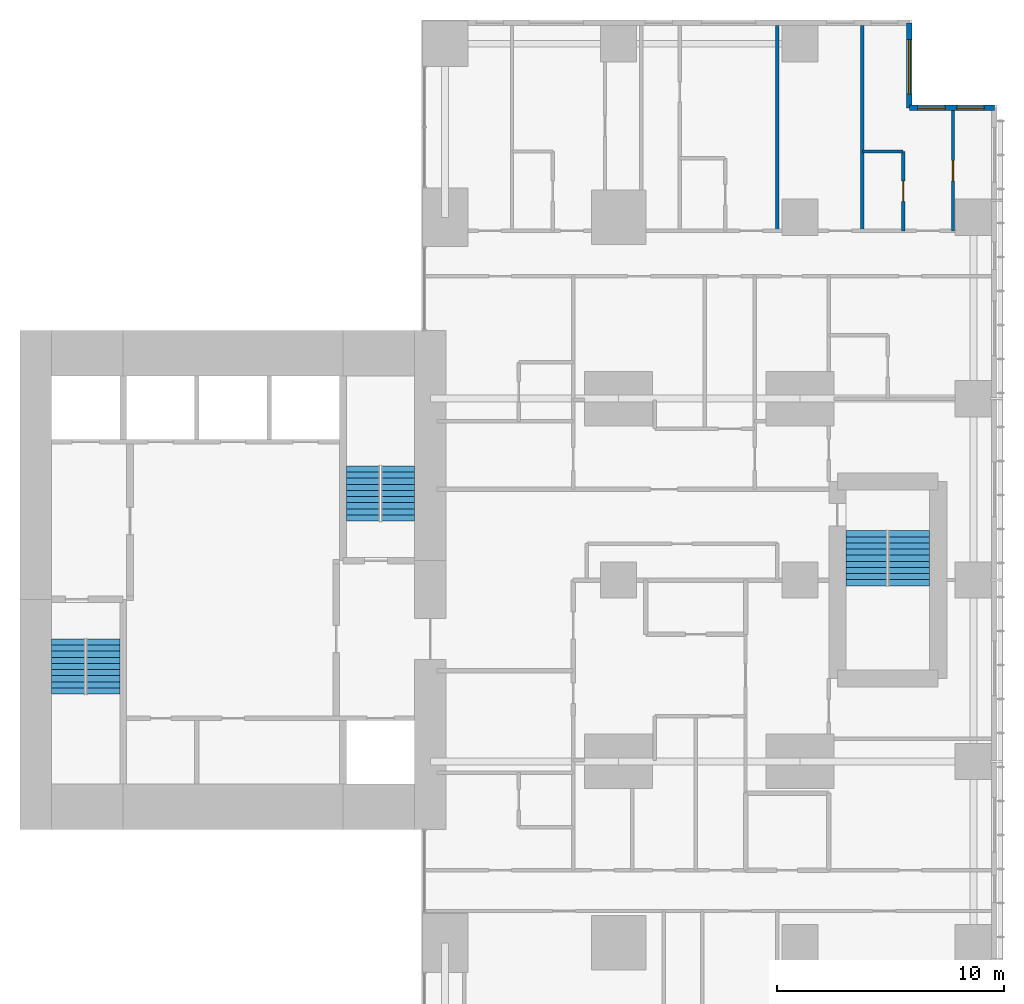
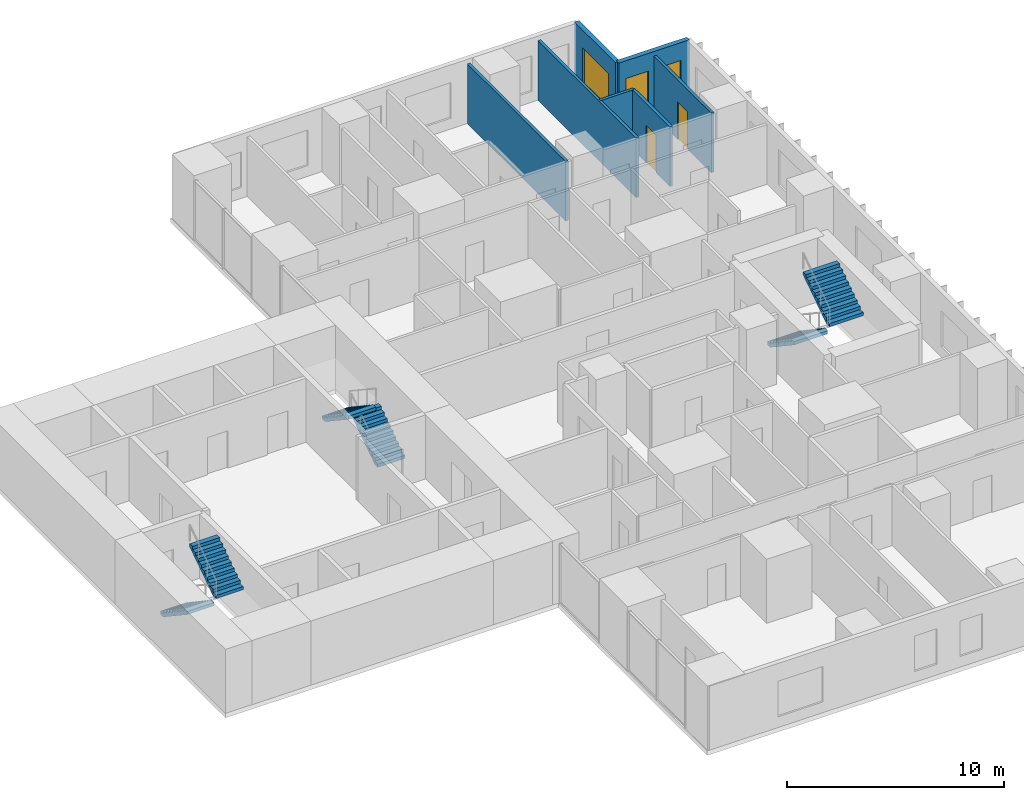
# One storey, part 11 of 12: 7 walls, 6 stair flights, 3 windows, 2 doors, 5 openings, 3 elements without a shape of their own.
"""IFC4 building model written with IfcOpenShell, lengths in metres."""

from ifc_helpers import new_model, si_unit, direction, frame, frame_2d, origin, place, context, subcontext, project, spatial, polyline, rectangle, outline, extrude, material, layer, layer_set, type_object, element, fill, aggregate, save


model = new_model("IFC4")

# Units and contexts
model_context = context("Model", 3, precision=1e-05, world=origin(), true_north=direction((0.0, 1.0)))
body_context = subcontext(model_context, "Body", "Model", "MODEL_VIEW")
ifc_project = project(units=[si_unit("LENGTHUNIT", "METRE"), si_unit("AREAUNIT", "SQUARE_METRE"), si_unit("VOLUMEUNIT", "CUBIC_METRE"), si_unit("PLANEANGLEUNIT", "RADIAN"), si_unit("MASSUNIT", "GRAM", prefix="KILO")], contexts=[model_context])

# Site, building, storey
site_placement = place(None, origin())
site = spatial("IfcSite", under=ifc_project, at=site_placement, CompositionType="ELEMENT")
building_placement = place(site_placement, origin())
building = spatial("IfcBuilding", under=site, at=building_placement, Name="Cleftline Residences", CompositionType="ELEMENT")
storey_placement = place(building_placement, frame((0.0, 0.0, 252.0)))
storey = spatial("IfcBuildingStorey", under=building, at=storey_placement, Name="L66", CompositionType="ELEMENT", Elevation=252.0)

# Wall, openings, windows
ifc_material_1 = material(Name="Rendered reinforced concrete blockwork", Category="masonry")
ifc_layer_1 = layer(ifc_material_1, 0.25)
ifc_layer_set_1 = layer_set([ifc_layer_1], Name="EXTERNAL WALL 250")
wall_type_1 = type_object("IfcWallType", Name="EXTERNAL WALL 250", PredefinedType="SOLIDWALL", material=ifc_layer_set_1)
wall_1_placement = place(storey_placement, frame((66.574951171875, 44.824951171875, 0.0), z_axis=(0.0, 0.0, 1.0), x_axis=(-1.0, 0.0, 0.0)))
wall_1 = element("IfcWall", 1, at=wall_1_placement, inside=storey, type_object=wall_type_1, Name="External wall", PredefinedType="SOLIDWALL", context=body_context, shape_type="SweptSolid", body=[
    extrude(rectangle(XDim=3.75, YDim=0.25, at=frame_2d((1.875, 0.0))), origin(), (0.0, 0.0, 1.0), 3.60009765625),
])
opening_1_placement = place(wall_1_placement, frame((0.449951171875, 0.0, 0.60009765625)))
opening_1 = element("IfcOpeningElement", 2, at=opening_1_placement, cuts=wall_1, Name="Opening W8", PredefinedType="OPENING", context=body_context, shape_type="SweptSolid", body=[
    extrude(rectangle(XDim=1.199951171875, YDim=2.0, at=frame_2d((0.60009765625, 1.0))), frame((0.0, 0.135009765625, 0.0), z_axis=(0.0, -1.0, 0.0), x_axis=(1.0, 0.0, 0.0)), (0.0, 0.0, 1.0), 0.27001953125),
])
opening_2_placement = place(wall_1_placement, frame((2.1875, 0.0, 0.60009765625)))
opening_2 = element("IfcOpeningElement", 3, at=opening_2_placement, cuts=wall_1, Name="Opening W8", PredefinedType="OPENING", context=body_context, shape_type="SweptSolid", body=[
    extrude(rectangle(XDim=1.199951171875, YDim=2.0, at=frame_2d((0.60009765625, 1.0))), frame((0.0, 0.135009765625, 0.0), z_axis=(0.0, -1.0, 0.0), x_axis=(1.0, 0.0, 0.0)), (0.0, 0.0, 1.0), 0.27001953125),
])
ifc_material_2 = material(Name="Aluminium frame, clear double glazing", Category="aluminium")
window_type_1 = type_object("IfcWindowType", Name="WINDOW 1200X2000", PartitioningType="DOUBLE_PANEL_VERTICAL", PredefinedType="WINDOW", material=ifc_material_2)
window_1_placement = place(opening_1_placement, origin())
window_1 = element("IfcWindow", 4, at=window_1_placement, inside=storey, type_object=window_type_1, Name="Window", OverallHeight=2.0, OverallWidth=1.199951171875, PartitioningType="SINGLE_PANEL", PredefinedType="WINDOW", context=body_context, shape_type="SweptSolid", body=[
    extrude(rectangle(XDim=1.199951171875, YDim=2.0, at=frame_2d((0.60009765625, 1.0))), frame((0.0, 0.030029296875, 0.0), z_axis=(0.0, -1.0, 0.0), x_axis=(1.0, 0.0, 0.0)), (0.0, 0.0, 1.0), 0.06005859375),
])
fill(opening_1, window_1)
window_2_placement = place(opening_2_placement, origin())
window_2 = element("IfcWindow", 5, at=window_2_placement, inside=storey, type_object=window_type_1, Name="Window", OverallHeight=2.0, OverallWidth=1.199951171875, PartitioningType="SINGLE_PANEL", PredefinedType="WINDOW", context=body_context, shape_type="SweptSolid", body=[
    extrude(rectangle(XDim=1.199951171875, YDim=2.0, at=frame_2d((0.60009765625, 1.0))), frame((0.0, 0.030029296875, 0.0), z_axis=(0.0, -1.0, 0.0), x_axis=(1.0, 0.0, 0.0)), (0.0, 0.0, 1.0), 0.06005859375),
])
fill(opening_2, window_2)

# Wall, opening, window
wall_2_placement = place(storey_placement, frame((62.824951171875, 44.824951171875, 0.0), z_axis=(0.0, 0.0, 1.0), x_axis=(0.0, 1.0, 0.0)))
wall_2 = element("IfcWall", 6, at=wall_2_placement, inside=storey, type_object=wall_type_1, Name="External wall", PredefinedType="SOLIDWALL", context=body_context, shape_type="SweptSolid", body=[
    extrude(rectangle(XDim=3.75, YDim=0.25, at=frame_2d((1.875, 0.0))), origin(), (0.0, 0.0, 1.0), 3.60009765625),
])
opening_3_placement = place(wall_2_placement, frame((0.612548828125, 0.0, 0.60009765625)))
opening_3 = element("IfcOpeningElement", 7, at=opening_3_placement, cuts=wall_2, Name="Opening W6", PredefinedType="OPENING", context=body_context, shape_type="SweptSolid", body=[
    extrude(rectangle(XDim=2.39990234375, YDim=2.0, at=frame_2d((1.199951171875, 1.0))), frame((0.0, 0.135009765625, 0.0), z_axis=(0.0, -1.0, 0.0), x_axis=(1.0, 0.0, 0.0)), (0.0, 0.0, 1.0), 0.27001953125),
])
ifc_material_3 = material(Name="Aluminium frame, clear double glazing", Category="aluminium")
window_type_2 = type_object("IfcWindowType", Name="WINDOW 2400X2000", PartitioningType="DOUBLE_PANEL_VERTICAL", PredefinedType="WINDOW", material=ifc_material_3)
window_3_placement = place(opening_3_placement, origin())
window_3 = element("IfcWindow", 8, at=window_3_placement, inside=storey, type_object=window_type_2, Name="Window", OverallHeight=2.0, OverallWidth=2.39990234375, PartitioningType="SINGLE_PANEL", PredefinedType="WINDOW", context=body_context, shape_type="SweptSolid", body=[
    extrude(rectangle(XDim=2.39990234375, YDim=2.0, at=frame_2d((1.199951171875, 1.0))), frame((0.0, 0.030029296875, 0.0), z_axis=(0.0, -1.0, 0.0), x_axis=(1.0, 0.0, 0.0)), (0.0, 0.0, 1.0), 0.06005859375),
])
fill(opening_3, window_3)

# Walls
ifc_material_4 = material(Name="Gypsum board on steel studs", Category="steel")
ifc_layer_2 = layer(ifc_material_4, 0.14990234375)
ifc_layer_set_2 = layer_set([ifc_layer_2], Name="PARTITION 150")
wall_type_2 = type_object("IfcWallType", Name="PARTITION 150", PredefinedType="PARTITIONING", material=ifc_layer_set_2)
wall_3_placement = place(storey_placement, frame((60.75, 42.89990234375, 0.0), z_axis=(0.0, 0.0, 1.0), x_axis=(1.0, 0.0, 0.0)))
element("IfcWall", 9, at=wall_3_placement, inside=storey, type_object=wall_type_2, Name="Partition", PredefinedType="PARTITIONING", context=body_context, shape_type="SweptSolid", body=[
    extrude(rectangle(XDim=1.800048828125, YDim=0.14990234375, at=frame_2d((0.89990234375, 0.0))), origin(), (0.0, 0.0, 1.0), 3.35009765625),
])
for number, where, z_axis, x_axis, name in (
    (10, (57.0, 39.39990234375, 0.0), (0.0, 0.0, 1.0), (0.0, 1.0, 0.0), "Partition"),
    (11, (60.75, 39.39990234375, 0.0), (0.0, 0.0, 1.0), (0.0, 1.0, 0.0), "Partition"),
):
    element("IfcWall", number, at=place(storey_placement, frame(where, z_axis=z_axis, x_axis=x_axis)), inside=storey, type_object=wall_type_2, Name=name, PredefinedType="PARTITIONING", context=body_context, shape_type="SweptSolid", body=[
        extrude(rectangle(XDim=9.050048828125, YDim=0.14990234375, at=frame_2d((4.52490234375, 0.0))), origin(), (0.0, 0.0, 1.0), 3.35009765625),
    ])

# Wall, opening, door
wall_4_placement = place(storey_placement, frame((62.550048828125, 39.39990234375, 0.0), z_axis=(0.0, 0.0, 1.0), x_axis=(0.0, 1.0, 0.0)))
wall_4 = element("IfcWall", 12, at=wall_4_placement, inside=storey, type_object=wall_type_2, Name="Partition", PredefinedType="PARTITIONING", context=body_context, shape_type="SweptSolid", body=[
    extrude(rectangle(XDim=3.5, YDim=0.14990234375, at=frame_2d((1.75, 0.0))), origin(), (0.0, 0.0, 1.0), 3.35009765625),
])
opening_4_placement = place(wall_4_placement, frame((1.300048828125, 0.0, 0.0)))
opening_4 = element("IfcOpeningElement", 13, at=opening_4_placement, cuts=wall_4, Name="Opening D1", PredefinedType="OPENING", context=body_context, shape_type="SweptSolid", body=[
    extrude(rectangle(XDim=0.89990234375, YDim=2.10009765625, at=frame_2d((0.449951171875, 1.050048828125))), frame((0.0, 0.0849609375, 0.0), z_axis=(0.0, -1.0, 0.0), x_axis=(1.0, 0.0, 0.0)), (0.0, 0.0, 1.0), 0.169921875),
])
ifc_material_5 = material(Name="Timber veneer on solid core", Category="wood")
door_type = type_object("IfcDoorType", Name="DOOR 900X2100", OperationType="SINGLE_SWING_LEFT", PredefinedType="DOOR", material=ifc_material_5)
door_1_placement = place(opening_4_placement, origin())
door_1 = element("IfcDoor", 14, at=door_1_placement, inside=storey, type_object=door_type, Name="Door to en-suite bathroom 2", OperationType="SINGLE_SWING_LEFT", OverallHeight=2.10009765625, OverallWidth=0.89990234375, PredefinedType="DOOR", context=body_context, shape_type="SweptSolid", body=[
    extrude(rectangle(XDim=0.89990234375, YDim=2.10009765625, at=frame_2d((0.449951171875, 1.050048828125))), frame((0.0, 0.02490234375, 0.0), z_axis=(0.0, -1.0, 0.0), x_axis=(1.0, 0.0, 0.0)), (0.0, 0.0, 1.0), 0.050048828125),
])
fill(opening_4, door_1)

wall_5_placement = place(storey_placement, frame((64.75, 39.39990234375, 0.0), z_axis=(0.0, 0.0, 1.0), x_axis=(0.0, 1.0, 0.0)))
wall_5 = element("IfcWall", 15, at=wall_5_placement, inside=storey, type_object=wall_type_2, Name="Partition", PredefinedType="PARTITIONING", context=body_context, shape_type="SweptSolid", body=[
    extrude(rectangle(XDim=5.300048828125, YDim=0.14990234375, at=frame_2d((2.64990234375, 0.0))), origin(), (0.0, 0.0, 1.0), 3.35009765625),
])
opening_5_placement = place(wall_5_placement, frame((2.199951171875, 0.0, 0.0)))
opening_5 = element("IfcOpeningElement", 16, at=opening_5_placement, cuts=wall_5, Name="Opening D1", PredefinedType="OPENING", context=body_context, shape_type="SweptSolid", body=[
    extrude(rectangle(XDim=0.89990234375, YDim=2.10009765625, at=frame_2d((0.449951171875, 1.050048828125))), frame((0.0, 0.0849609375, 0.0), z_axis=(0.0, -1.0, 0.0), x_axis=(1.0, 0.0, 0.0)), (0.0, 0.0, 1.0), 0.169921875),
])
door_2_placement = place(opening_5_placement, origin())
door_2 = element("IfcDoor", 17, at=door_2_placement, inside=storey, type_object=door_type, Name="Door to walk-in wardrobe", OperationType="SINGLE_SWING_LEFT", OverallHeight=2.10009765625, OverallWidth=0.89990234375, PredefinedType="DOOR", context=body_context, shape_type="SweptSolid", body=[
    extrude(rectangle(XDim=0.89990234375, YDim=2.10009765625, at=frame_2d((0.449951171875, 1.050048828125))), frame((0.0, 0.02490234375, 0.0), z_axis=(0.0, -1.0, 0.0), x_axis=(1.0, 0.0, 0.0)), (0.0, 0.0, 1.0), 0.050048828125),
])
fill(opening_5, door_2)

# Stair, stair flights
ifc_material_6 = material(Name="Concrete B45, stone treads", Category="masonry")
stair_type_1 = type_object("IfcStairType", Name="STAIR A 1450 WIDE 180 RISER", PredefinedType="HALF_TURN_STAIR", material=ifc_material_6)
stair_1_placement = place(storey_placement, origin())
stair_1 = element("IfcStair", 18, at=stair_1_placement, inside=storey, type_object=stair_type_1, Name="Stair A L66", PredefinedType="HALF_TURN_STAIR")
ifc_material_7 = material(Name="Concrete B45", Category="concrete")
stair_flight_type_1 = type_object("IfcStairFlightType", Name="STAIR A FLIGHT 1450X180", PredefinedType="STRAIGHT", material=ifc_material_7)
stair_flight_1_placement = place(storey_placement, frame((25.72509765625, 21.39990234375, 0.0), z_axis=(0.0, 0.0, 1.0), x_axis=(0.0, -1.0, 0.0)))
stair_flight_1 = element("IfcStairFlight", 19, at=stair_flight_1_placement, type_object=stair_flight_type_1, Name="ST-A flight 1", NumberOfRisers=10, NumberOfTreads=9, PredefinedType="STRAIGHT", RiserHeight=0.18, TreadLength=0.27, context=body_context, shape_type="SweptSolid", body=[
    extrude(outline(polyline([(0.0, 0.0), (0.0, 0.013916015625), (0.0, 0.027587890625), (0.0, 0.04150390625), (0.0, 0.055419921875), (0.0, 0.0693359375), (0.0, 0.0830078125), (0.0, 0.096923828125), (0.0, 0.11083984375), (0.0, 0.12451171875), (0.0, 0.138427734375), (0.0, 0.15234375), (0.0, 0.166259765625), (0.0, 0.179931640625), (0.27001953125, 0.179931640625), (0.27001953125, 0.360107421875), (0.5400390625, 0.360107421875), (0.5400390625, 0.5400390625), (0.81005859375, 0.5400390625), (0.81005859375, 0.719970703125), (1.080078125, 0.719970703125), (1.080078125, 0.89990234375), (1.35009765625, 0.89990234375), (1.35009765625, 1.080078125), (1.6201171875, 1.080078125), (1.6201171875, 1.260009765625), (1.889892578125, 1.260009765625), (1.889892578125, 1.43994140625), (2.159912109375, 1.43994140625), (2.159912109375, 1.6201171875), (2.429931640625, 1.6201171875), (2.429931640625, 1.800048828125), (2.429931640625, 1.772216796875), (2.429931640625, 1.74462890625), (2.429931640625, 1.716796875), (2.429931640625, 1.689208984375), (2.429931640625, 1.661376953125), (2.429931640625, 1.6337890625), (2.429931640625, 1.60595703125), (2.429931640625, 1.578369140625), (2.429931640625, 1.550537109375), (2.429931640625, 1.52294921875), (2.429931640625, 1.495361328125), (2.429931640625, 1.467529296875), (2.429931640625, 1.43994140625), (0.270263671875, 0.0), (0.0, 0.0)])), frame((0.0, 0.72509765625, 0.0), z_axis=(0.0, -1.0, 0.0), x_axis=(1.0, 0.0, 0.0)), (0.0, 0.0, 1.0), 1.449951171875),
])
stair_flight_2_placement = place(storey_placement, frame((27.27490234375, 18.969970703125, 1.800048828125), z_axis=(0.0, 0.0, 1.0), x_axis=(0.0, 1.0, 0.0)))
stair_flight_2 = element("IfcStairFlight", 20, at=stair_flight_2_placement, type_object=stair_flight_type_1, Name="ST-A flight 2", NumberOfRisers=10, NumberOfTreads=9, PredefinedType="STRAIGHT", RiserHeight=0.18, TreadLength=0.27, context=body_context, shape_type="SweptSolid", body=[
    extrude(outline(polyline([(0.0, 0.0), (0.0, 0.013916015625), (0.0, 0.027587890625), (0.0, 0.04150390625), (0.0, 0.055419921875), (0.0, 0.0693359375), (0.0, 0.0830078125), (0.0, 0.096923828125), (0.0, 0.11083984375), (0.0, 0.12451171875), (0.0, 0.138427734375), (0.0, 0.15234375), (0.0, 0.166259765625), (0.0, 0.179931640625), (0.27001953125, 0.179931640625), (0.27001953125, 0.360107421875), (0.5400390625, 0.360107421875), (0.5400390625, 0.5400390625), (0.81005859375, 0.5400390625), (0.81005859375, 0.719970703125), (1.080078125, 0.719970703125), (1.080078125, 0.89990234375), (1.35009765625, 0.89990234375), (1.35009765625, 1.080078125), (1.6201171875, 1.080078125), (1.6201171875, 1.260009765625), (1.889892578125, 1.260009765625), (1.889892578125, 1.43994140625), (2.159912109375, 1.43994140625), (2.159912109375, 1.6201171875), (2.429931640625, 1.6201171875), (2.429931640625, 1.800048828125), (2.429931640625, 1.772216796875), (2.429931640625, 1.74462890625), (2.429931640625, 1.716796875), (2.429931640625, 1.689208984375), (2.429931640625, 1.661376953125), (2.429931640625, 1.6337890625), (2.429931640625, 1.60595703125), (2.429931640625, 1.578369140625), (2.429931640625, 1.550537109375), (2.429931640625, 1.52294921875), (2.429931640625, 1.495361328125), (2.429931640625, 1.467529296875), (2.429931640625, 1.43994140625), (0.270263671875, 0.0), (0.0, 0.0)])), frame((0.0, 0.72509765625, 0.0), z_axis=(0.0, -1.0, 0.0), x_axis=(1.0, 0.0, 0.0)), (0.0, 0.0, 1.0), 1.449951171875),
])
aggregate(stair_1, [stair_flight_1, stair_flight_2])

ifc_material_8 = material(Name="Concrete B45, stone treads", Category="masonry")
stair_type_2 = type_object("IfcStairType", Name="STAIR B 1450 WIDE 180 RISER", PredefinedType="HALF_TURN_STAIR", material=ifc_material_8)
stair_2_placement = place(storey_placement, origin())
stair_2 = element("IfcStair", 21, at=stair_2_placement, inside=storey, type_object=stair_type_2, Name="Stair B L66", PredefinedType="HALF_TURN_STAIR")
ifc_material_9 = material(Name="Concrete B45", Category="concrete")
stair_flight_type_2 = type_object("IfcStairFlightType", Name="STAIR B FLIGHT 1450X180", PredefinedType="STRAIGHT", material=ifc_material_9)
stair_flight_3_placement = place(storey_placement, frame((40.27490234375, 26.60009765625, 0.0), z_axis=(0.0, 0.0, 1.0), x_axis=(0.0, 1.0, 0.0)))
stair_flight_3 = element("IfcStairFlight", 22, at=stair_flight_3_placement, type_object=stair_flight_type_2, Name="ST-B flight 1", NumberOfRisers=10, NumberOfTreads=9, PredefinedType="STRAIGHT", RiserHeight=0.18, TreadLength=0.27, context=body_context, shape_type="SweptSolid", body=[
    extrude(outline(polyline([(0.0, 0.0), (0.0, 0.013916015625), (0.0, 0.027587890625), (0.0, 0.04150390625), (0.0, 0.055419921875), (0.0, 0.0693359375), (0.0, 0.0830078125), (0.0, 0.096923828125), (0.0, 0.11083984375), (0.0, 0.12451171875), (0.0, 0.138427734375), (0.0, 0.15234375), (0.0, 0.166259765625), (0.0, 0.179931640625), (0.27001953125, 0.179931640625), (0.27001953125, 0.360107421875), (0.5400390625, 0.360107421875), (0.5400390625, 0.5400390625), (0.81005859375, 0.5400390625), (0.81005859375, 0.719970703125), (1.080078125, 0.719970703125), (1.080078125, 0.89990234375), (1.35009765625, 0.89990234375), (1.35009765625, 1.080078125), (1.6201171875, 1.080078125), (1.6201171875, 1.260009765625), (1.889892578125, 1.260009765625), (1.889892578125, 1.43994140625), (2.159912109375, 1.43994140625), (2.159912109375, 1.6201171875), (2.429931640625, 1.6201171875), (2.429931640625, 1.800048828125), (2.429931640625, 1.772216796875), (2.429931640625, 1.74462890625), (2.429931640625, 1.716796875), (2.429931640625, 1.689208984375), (2.429931640625, 1.661376953125), (2.429931640625, 1.6337890625), (2.429931640625, 1.60595703125), (2.429931640625, 1.578369140625), (2.429931640625, 1.550537109375), (2.429931640625, 1.52294921875), (2.429931640625, 1.495361328125), (2.429931640625, 1.467529296875), (2.429931640625, 1.43994140625), (0.270263671875, 0.0), (0.0, 0.0)])), frame((0.0, 0.72509765625, 0.0), z_axis=(0.0, -1.0, 0.0), x_axis=(1.0, 0.0, 0.0)), (0.0, 0.0, 1.0), 1.449951171875),
])
stair_flight_4_placement = place(storey_placement, frame((38.72509765625, 29.030029296875, 1.800048828125), z_axis=(0.0, 0.0, 1.0), x_axis=(0.0, -1.0, 0.0)))
stair_flight_4 = element("IfcStairFlight", 23, at=stair_flight_4_placement, type_object=stair_flight_type_2, Name="ST-B flight 2", NumberOfRisers=10, NumberOfTreads=9, PredefinedType="STRAIGHT", RiserHeight=0.18, TreadLength=0.27, context=body_context, shape_type="SweptSolid", body=[
    extrude(outline(polyline([(0.0, 0.0), (0.0, 0.013916015625), (0.0, 0.027587890625), (0.0, 0.04150390625), (0.0, 0.055419921875), (0.0, 0.0693359375), (0.0, 0.0830078125), (0.0, 0.096923828125), (0.0, 0.11083984375), (0.0, 0.12451171875), (0.0, 0.138427734375), (0.0, 0.15234375), (0.0, 0.166259765625), (0.0, 0.179931640625), (0.27001953125, 0.179931640625), (0.27001953125, 0.360107421875), (0.5400390625, 0.360107421875), (0.5400390625, 0.5400390625), (0.81005859375, 0.5400390625), (0.81005859375, 0.719970703125), (1.080078125, 0.719970703125), (1.080078125, 0.89990234375), (1.35009765625, 0.89990234375), (1.35009765625, 1.080078125), (1.6201171875, 1.080078125), (1.6201171875, 1.260009765625), (1.889892578125, 1.260009765625), (1.889892578125, 1.43994140625), (2.159912109375, 1.43994140625), (2.159912109375, 1.6201171875), (2.429931640625, 1.6201171875), (2.429931640625, 1.800048828125), (2.429931640625, 1.772216796875), (2.429931640625, 1.74462890625), (2.429931640625, 1.716796875), (2.429931640625, 1.689208984375), (2.429931640625, 1.661376953125), (2.429931640625, 1.6337890625), (2.429931640625, 1.60595703125), (2.429931640625, 1.578369140625), (2.429931640625, 1.550537109375), (2.429931640625, 1.52294921875), (2.429931640625, 1.495361328125), (2.429931640625, 1.467529296875), (2.429931640625, 1.43994140625), (0.270263671875, 0.0), (0.0, 0.0)])), frame((0.0, 0.72509765625, 0.0), z_axis=(0.0, -1.0, 0.0), x_axis=(1.0, 0.0, 0.0)), (0.0, 0.0, 1.0), 1.449951171875),
])
aggregate(stair_2, [stair_flight_3, stair_flight_4])

ifc_material_10 = material(Name="Concrete B45, stone treads", Category="masonry")
stair_type_3 = type_object("IfcStairType", Name="STAIR E 1800 WIDE 180 RISER", PredefinedType="HALF_TURN_STAIR", material=ifc_material_10)
stair_3_placement = place(storey_placement, origin())
stair_3 = element("IfcStair", 24, at=stair_3_placement, inside=storey, type_object=stair_type_3, Name="Stair E L66", PredefinedType="HALF_TURN_STAIR")
ifc_material_11 = material(Name="Concrete B45", Category="concrete")
stair_flight_type_3 = type_object("IfcStairFlightType", Name="STAIR E FLIGHT 1800X180", PredefinedType="STRAIGHT", material=ifc_material_11)
stair_flight_5_placement = place(storey_placement, frame((60.925048828125, 26.175048828125, 0.0), z_axis=(0.0, 0.0, 1.0), x_axis=(0.0, -1.0, 0.0)))
stair_flight_5 = element("IfcStairFlight", 25, at=stair_flight_5_placement, type_object=stair_flight_type_3, Name="ST-E flight 1", NumberOfRisers=10, NumberOfTreads=9, PredefinedType="STRAIGHT", RiserHeight=0.18, TreadLength=0.27, context=body_context, shape_type="SweptSolid", body=[
    extrude(outline(polyline([(0.0, 0.0), (0.0, 0.013916015625), (0.0, 0.027587890625), (0.0, 0.04150390625), (0.0, 0.055419921875), (0.0, 0.0693359375), (0.0, 0.0830078125), (0.0, 0.096923828125), (0.0, 0.11083984375), (0.0, 0.12451171875), (0.0, 0.138427734375), (0.0, 0.15234375), (0.0, 0.166259765625), (0.0, 0.179931640625), (0.27001953125, 0.179931640625), (0.27001953125, 0.360107421875), (0.5400390625, 0.360107421875), (0.5400390625, 0.5400390625), (0.81005859375, 0.5400390625), (0.81005859375, 0.719970703125), (1.080078125, 0.719970703125), (1.080078125, 0.89990234375), (1.35009765625, 0.89990234375), (1.35009765625, 1.080078125), (1.6201171875, 1.080078125), (1.6201171875, 1.260009765625), (1.889892578125, 1.260009765625), (1.889892578125, 1.43994140625), (2.159912109375, 1.43994140625), (2.159912109375, 1.6201171875), (2.429931640625, 1.6201171875), (2.429931640625, 1.800048828125), (2.429931640625, 1.772216796875), (2.429931640625, 1.74462890625), (2.429931640625, 1.716796875), (2.429931640625, 1.689208984375), (2.429931640625, 1.661376953125), (2.429931640625, 1.6337890625), (2.429931640625, 1.60595703125), (2.429931640625, 1.578369140625), (2.429931640625, 1.550537109375), (2.429931640625, 1.52294921875), (2.429931640625, 1.495361328125), (2.429931640625, 1.467529296875), (2.429931640625, 1.43994140625), (0.270263671875, 0.0), (0.0, 0.0)])), frame((0.0, 0.89990234375, 0.0), z_axis=(0.0, -1.0, 0.0), x_axis=(1.0, 0.0, 0.0)), (0.0, 0.0, 1.0), 1.800048828125),
])
stair_flight_6_placement = place(storey_placement, frame((62.824951171875, 23.7451171875, 1.800048828125), z_axis=(0.0, 0.0, 1.0), x_axis=(0.0, 1.0, 0.0)))
stair_flight_6 = element("IfcStairFlight", 26, at=stair_flight_6_placement, type_object=stair_flight_type_3, Name="ST-E flight 2", NumberOfRisers=10, NumberOfTreads=9, PredefinedType="STRAIGHT", RiserHeight=0.18, TreadLength=0.27, context=body_context, shape_type="SweptSolid", body=[
    extrude(outline(polyline([(0.0, 0.0), (0.0, 0.013916015625), (0.0, 0.027587890625), (0.0, 0.04150390625), (0.0, 0.055419921875), (0.0, 0.0693359375), (0.0, 0.0830078125), (0.0, 0.096923828125), (0.0, 0.11083984375), (0.0, 0.12451171875), (0.0, 0.138427734375), (0.0, 0.15234375), (0.0, 0.166259765625), (0.0, 0.179931640625), (0.27001953125, 0.179931640625), (0.27001953125, 0.360107421875), (0.5400390625, 0.360107421875), (0.5400390625, 0.5400390625), (0.81005859375, 0.5400390625), (0.81005859375, 0.719970703125), (1.080078125, 0.719970703125), (1.080078125, 0.89990234375), (1.35009765625, 0.89990234375), (1.35009765625, 1.080078125), (1.6201171875, 1.080078125), (1.6201171875, 1.260009765625), (1.889892578125, 1.260009765625), (1.889892578125, 1.43994140625), (2.159912109375, 1.43994140625), (2.159912109375, 1.6201171875), (2.429931640625, 1.6201171875), (2.429931640625, 1.800048828125), (2.429931640625, 1.772216796875), (2.429931640625, 1.74462890625), (2.429931640625, 1.716796875), (2.429931640625, 1.689208984375), (2.429931640625, 1.661376953125), (2.429931640625, 1.6337890625), (2.429931640625, 1.60595703125), (2.429931640625, 1.578369140625), (2.429931640625, 1.550537109375), (2.429931640625, 1.52294921875), (2.429931640625, 1.495361328125), (2.429931640625, 1.467529296875), (2.429931640625, 1.43994140625), (0.270263671875, 0.0), (0.0, 0.0)])), frame((0.0, 0.89990234375, 0.0), z_axis=(0.0, -1.0, 0.0), x_axis=(1.0, 0.0, 0.0)), (0.0, 0.0, 1.0), 1.800048828125),
])
aggregate(stair_3, [stair_flight_5, stair_flight_6])

save(model, "model.ifc")
